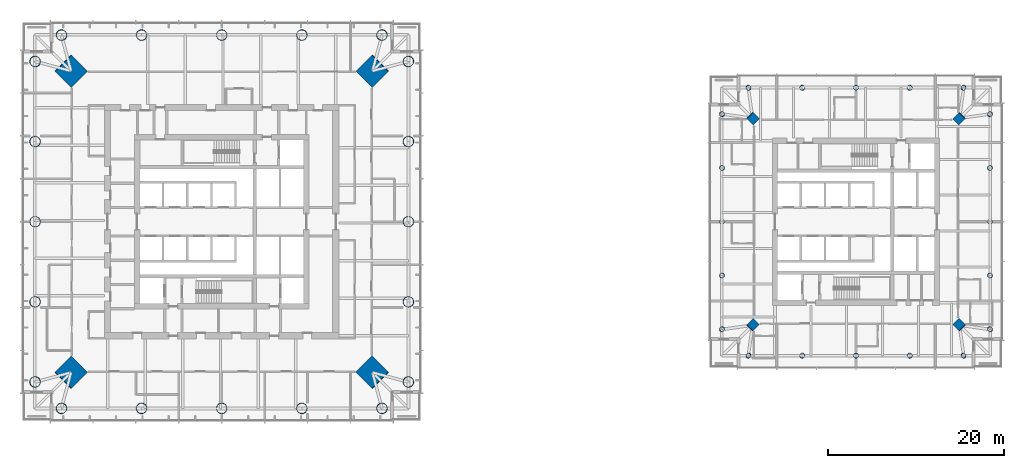
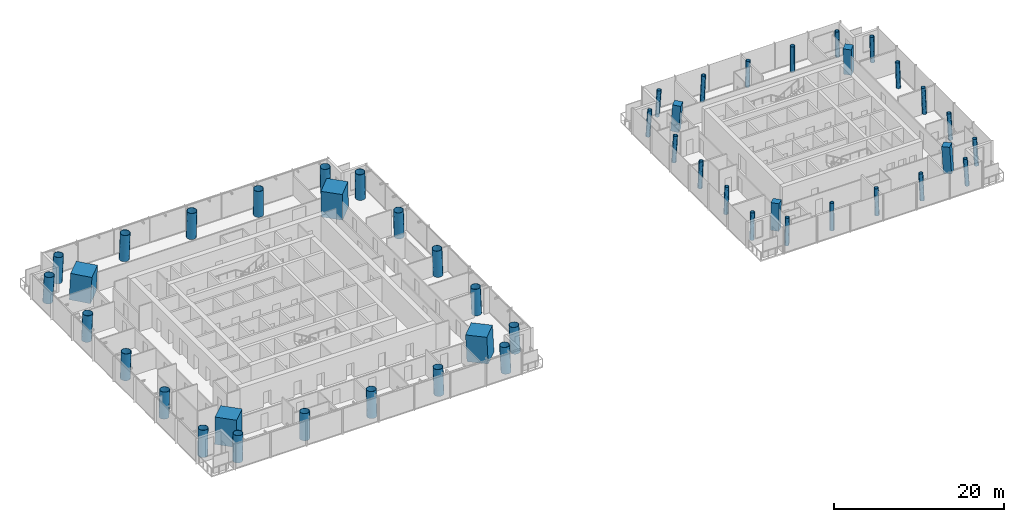
# One storey, part 1 of 20: 48 columns.
"""IFC4 building model written with IfcOpenShell, lengths in metres."""

from ifc_helpers import new_model, si_unit, direction, frame, origin, origin_2d, place, context, subcontext, project, spatial, rectangle, hollow_circle, extrude, material, material_profile, profile_set, type_object, element, save


model = new_model("IFC4")

# Units and contexts
model_context = context("Model", 3, precision=1e-05, world=origin(), true_north=direction((0.0, 1.0)))
body_context = subcontext(model_context, "Body", "Model", "MODEL_VIEW")
ifc_project = project(units=[si_unit("LENGTHUNIT", "METRE"), si_unit("AREAUNIT", "SQUARE_METRE"), si_unit("VOLUMEUNIT", "CUBIC_METRE"), si_unit("PLANEANGLEUNIT", "RADIAN"), si_unit("MASSUNIT", "GRAM", prefix="KILO")], contexts=[model_context])

# Site, building, storey
site_placement = place(None, origin())
site = spatial("IfcSite", under=ifc_project, at=site_placement, CompositionType="ELEMENT")
building_placement = place(site_placement, origin())
building = spatial("IfcBuilding", under=site, at=building_placement, Name="Ostroluk Exchange", CompositionType="ELEMENT")
storey_placement = place(building_placement, frame((0.0, 0.0, 108.39990234375)))
storey = spatial("IfcBuildingStorey", under=building, at=storey_placement, Name="L27", CompositionType="ELEMENT", Elevation=108.39990234375)

# Columns
ifc_material_1 = material(Name="Concrete C50/60", Category="concrete")
ifc_material_profile_1 = material_profile(ifc_material_1, rectangle(XDim=1.0, YDim=1.0, at=origin_2d()), Name="RC 1000x1000")
ifc_profile_set_1 = profile_set([ifc_material_profile_1], Name="Concrete C50/60")
column_type_1 = type_object("IfcColumnType", Name="Mega column RC 1000x1000", PredefinedType="COLUMN", material=ifc_profile_set_1)
for number, where, z_axis, x_axis, name in (
    (1, (128.732666015625, 57.732666015625, 0.0), (-0.043029647111, -0.043029647111, 0.998146732169), (0.707106781187, -0.707106781187, 0.0), "T2 mega column NE"),
    (2, (105.267333984375, 57.732666015625, 0.0), (0.043029647111, -0.043029647111, 0.998146732169), (0.707106781187, 0.707106781187, 0.0), "T2 mega column NW"),
    (3, (105.267333984375, 34.267333984375, 0.0), (0.043029647111, 0.043029647111, 0.998146732169), (-0.707106781187, 0.707106781187, 0.0), "T2 mega column SW"),
    (4, (128.732666015625, 34.267333984375, 0.0), (-0.043029647111, 0.043029647111, 0.998146732169), (-0.707106781187, -0.707106781187, 0.0), "T2 mega column SE"),
):
    element("IfcColumn", number, at=place(storey_placement, frame(where, z_axis=z_axis, x_axis=x_axis)), inside=storey, type_object=column_type_1, Name=name, PredefinedType="COLUMN", context=body_context, shape_type="SweptSolid", body=[
        extrude(rectangle(XDim=1.0, YDim=1.0, at=origin_2d()), origin(), (0.0, 0.0, 1.0), 3.80712890625),
    ])
ifc_material_2 = material(Name="Concrete C50/60", Category="concrete")
ifc_material_profile_2 = material_profile(ifc_material_2, rectangle(XDim=2.60009765625, YDim=2.60009765625, at=origin_2d()), Name="RC 2600x2600")
ifc_profile_set_2 = profile_set([ifc_material_profile_2], Name="Concrete C50/60")
column_type_2 = type_object("IfcColumnType", Name="Mega column RC 2600x2600", PredefinedType="COLUMN", material=ifc_profile_set_2)
for number, where, z_axis, x_axis, name in (
    (5, (62.107177734375, 63.107177734375, 0.0), (-0.031962158256, -0.031962158256, 0.998977898093), (0.707106781187, -0.707106781187, 0.0), "T1 mega column NE"),
    (6, (27.892822265625, 63.107177734375, 0.0), (0.031962158256, -0.031962158256, 0.998977898093), (0.707106781187, 0.707106781187, 0.0), "T1 mega column NW"),
    (7, (27.892822265625, 28.892822265625, 0.0), (0.031962158256, 0.031962158256, 0.998977898093), (-0.707106781187, 0.707106781187, 0.0), "T1 mega column SW"),
    (8, (62.107177734375, 28.892822265625, 0.0), (-0.031962158256, 0.031962158256, 0.998977898093), (-0.707106781187, -0.707106781187, 0.0), "T1 mega column SE"),
):
    element("IfcColumn", number, at=place(storey_placement, frame(where, z_axis=z_axis, x_axis=x_axis)), inside=storey, type_object=column_type_2, Name=name, PredefinedType="COLUMN", context=body_context, shape_type="SweptSolid", body=[
        extrude(rectangle(XDim=2.60009765625, YDim=2.60009765625, at=origin_2d()), origin(), (0.0, 0.0, 1.0), 3.803955078125),
    ])
ifc_material_3 = material(Name="Steel S460", Category="steel")
ifc_material_profile_3 = material_profile(ifc_material_3, hollow_circle(Radius=0.609619140625, WallThickness=0.0400390625, at=origin_2d()), Name="CHS 1219x40")
ifc_profile_set_3 = profile_set([ifc_material_profile_3], Name="Steel S460")
column_type_3 = type_object("IfcColumnType", Name="Perimeter column CHS 1219x40", PredefinedType="COLUMN", material=ifc_profile_set_3)
for number, where, z_axis, x_axis, name in (
    (9, (66.20703125, 27.79296875, 0.0), (-0.031898107953, 0.031898107953, 0.998981992539), (-0.707106781187, -0.707106781187, 0.0), "T1 east face column E0"),
    (10, (66.20703125, 64.20703125, 0.0), (-0.031898107953, -0.031898107953, 0.998981992539), (0.707106781187, -0.707106781187, 0.0), "T1 east face column E1"),
):
    element("IfcColumn", number, at=place(storey_placement, frame(where, z_axis=z_axis, x_axis=x_axis)), inside=storey, type_object=column_type_3, Name=name, PredefinedType="COLUMN", context=body_context, shape_type="SweptSolid", body=[
        extrude(hollow_circle(Radius=0.609619140625, WallThickness=0.0400390625, at=origin_2d()), origin(), (0.0, 0.0, 1.0), 3.803955078125),
    ])
column_1_placement = place(storey_placement, frame((66.20703125, 36.896484375, 0.0), z_axis=(-0.031910302246, 0.015923048203, 0.999363892257), x_axis=(-0.446493300058, -0.894786976326, 0.0)))
element("IfcColumn", 11, at=column_1_placement, inside=storey, type_object=column_type_3, Name="T1 east face column I1", PredefinedType="COLUMN", context=body_context, shape_type="SweptSolid", body=[
    extrude(hollow_circle(Radius=0.609619140625, WallThickness=0.0400390625, at=origin_2d()), origin(), (0.0, 0.0, 1.0), 3.802490234375),
])
column_2_placement = place(storey_placement, frame((66.20703125, 46.0, 0.0), z_axis=(-0.031914348339, 0.0, 0.999490607445), x_axis=(0.0, -1.0, 0.0)))
element("IfcColumn", 12, at=column_2_placement, inside=storey, type_object=column_type_3, Name="T1 east face column I2", PredefinedType="COLUMN", context=body_context, shape_type="SweptSolid", body=[
    extrude(hollow_circle(Radius=0.609619140625, WallThickness=0.0400390625, at=origin_2d()), origin(), (0.0, 0.0, 1.0), 3.802001953125),
])
column_3_placement = place(storey_placement, frame((66.20703125, 55.103515625, 0.0), z_axis=(-0.031910302246, -0.015923048203, 0.999363892257), x_axis=(0.446493300058, -0.894786976326, 0.0)))
element("IfcColumn", 13, at=column_3_placement, inside=storey, type_object=column_type_3, Name="T1 east face column I3", PredefinedType="COLUMN", context=body_context, shape_type="SweptSolid", body=[
    extrude(hollow_circle(Radius=0.609619140625, WallThickness=0.0400390625, at=origin_2d()), origin(), (0.0, 0.0, 1.0), 3.802490234375),
])
for number, where, z_axis, x_axis, name in (
    (14, (63.20703125, 67.20703125, 0.0), (-0.031898107953, -0.031898107953, 0.998981992539), (0.707106781187, -0.707106781187, 0.0), "T1 north face column E0"),
    (15, (26.79296875, 67.20703125, 0.0), (0.031898107953, -0.031898107953, 0.998981992539), (0.707106781187, 0.707106781187, 0.0), "T1 north face column E1"),
):
    element("IfcColumn", number, at=place(storey_placement, frame(where, z_axis=z_axis, x_axis=x_axis)), inside=storey, type_object=column_type_3, Name=name, PredefinedType="COLUMN", context=body_context, shape_type="SweptSolid", body=[
        extrude(hollow_circle(Radius=0.609619140625, WallThickness=0.0400390625, at=origin_2d()), origin(), (0.0, 0.0, 1.0), 3.803955078125),
    ])
column_4_placement = place(storey_placement, frame((54.103515625, 67.20703125, 0.0), z_axis=(-0.015923048203, -0.031910302246, 0.999363892257), x_axis=(0.894786976326, -0.446493300058, 0.0)))
element("IfcColumn", 16, at=column_4_placement, inside=storey, type_object=column_type_3, Name="T1 north face column I1", PredefinedType="COLUMN", context=body_context, shape_type="SweptSolid", body=[
    extrude(hollow_circle(Radius=0.609619140625, WallThickness=0.0400390625, at=origin_2d()), origin(), (0.0, 0.0, 1.0), 3.802490234375),
])
column_5_placement = place(storey_placement, frame((45.0, 67.20703125, 0.0), z_axis=(0.0, -0.031914348339, 0.999490607445), x_axis=(1.0, 0.0, 0.0)))
element("IfcColumn", 17, at=column_5_placement, inside=storey, type_object=column_type_3, Name="T1 north face column I2", PredefinedType="COLUMN", context=body_context, shape_type="SweptSolid", body=[
    extrude(hollow_circle(Radius=0.609619140625, WallThickness=0.0400390625, at=origin_2d()), origin(), (0.0, 0.0, 1.0), 3.802001953125),
])
column_6_placement = place(storey_placement, frame((35.896484375, 67.20703125, 0.0), z_axis=(0.015923048203, -0.031910302246, 0.999363892257), x_axis=(0.894786976326, 0.446493300058, 0.0)))
element("IfcColumn", 18, at=column_6_placement, inside=storey, type_object=column_type_3, Name="T1 north face column I3", PredefinedType="COLUMN", context=body_context, shape_type="SweptSolid", body=[
    extrude(hollow_circle(Radius=0.609619140625, WallThickness=0.0400390625, at=origin_2d()), origin(), (0.0, 0.0, 1.0), 3.802490234375),
])
for number, where, z_axis, x_axis, name in (
    (19, (23.79296875, 64.20703125, 0.0), (0.031898107953, -0.031898107953, 0.998981992539), (0.707106781187, 0.707106781187, 0.0), "T1 west face column E0"),
    (20, (23.79296875, 27.79296875, 0.0), (0.031898107953, 0.031898107953, 0.998981992539), (-0.707106781187, 0.707106781187, 0.0), "T1 west face column E1"),
):
    element("IfcColumn", number, at=place(storey_placement, frame(where, z_axis=z_axis, x_axis=x_axis)), inside=storey, type_object=column_type_3, Name=name, PredefinedType="COLUMN", context=body_context, shape_type="SweptSolid", body=[
        extrude(hollow_circle(Radius=0.609619140625, WallThickness=0.0400390625, at=origin_2d()), origin(), (0.0, 0.0, 1.0), 3.803955078125),
    ])
column_7_placement = place(storey_placement, frame((23.79296875, 55.103515625, 0.0), z_axis=(0.031910302246, -0.015923048203, 0.999363892257), x_axis=(0.446493300058, 0.894786976326, 0.0)))
element("IfcColumn", 21, at=column_7_placement, inside=storey, type_object=column_type_3, Name="T1 west face column I1", PredefinedType="COLUMN", context=body_context, shape_type="SweptSolid", body=[
    extrude(hollow_circle(Radius=0.609619140625, WallThickness=0.0400390625, at=origin_2d()), origin(), (0.0, 0.0, 1.0), 3.802490234375),
])
column_8_placement = place(storey_placement, frame((23.79296875, 46.0, 0.0), z_axis=(0.031914348339, 0.0, 0.999490607445), x_axis=(0.0, 1.0, 0.0)))
element("IfcColumn", 22, at=column_8_placement, inside=storey, type_object=column_type_3, Name="T1 west face column I2", PredefinedType="COLUMN", context=body_context, shape_type="SweptSolid", body=[
    extrude(hollow_circle(Radius=0.609619140625, WallThickness=0.0400390625, at=origin_2d()), origin(), (0.0, 0.0, 1.0), 3.802001953125),
])
column_9_placement = place(storey_placement, frame((23.79296875, 36.896484375, 0.0), z_axis=(0.031910302246, 0.015923048203, 0.999363892257), x_axis=(-0.446493300058, 0.894786976326, 0.0)))
element("IfcColumn", 23, at=column_9_placement, inside=storey, type_object=column_type_3, Name="T1 west face column I3", PredefinedType="COLUMN", context=body_context, shape_type="SweptSolid", body=[
    extrude(hollow_circle(Radius=0.609619140625, WallThickness=0.0400390625, at=origin_2d()), origin(), (0.0, 0.0, 1.0), 3.802490234375),
])
for number, where, z_axis, x_axis, name in (
    (24, (26.79296875, 24.79296875, 0.0), (0.031898107953, 0.031898107953, 0.998981992539), (-0.707106781187, 0.707106781187, 0.0), "T1 south face column E0"),
    (25, (63.20703125, 24.79296875, 0.0), (-0.031898107953, 0.031898107953, 0.998981992539), (-0.707106781187, -0.707106781187, 0.0), "T1 south face column E1"),
):
    element("IfcColumn", number, at=place(storey_placement, frame(where, z_axis=z_axis, x_axis=x_axis)), inside=storey, type_object=column_type_3, Name=name, PredefinedType="COLUMN", context=body_context, shape_type="SweptSolid", body=[
        extrude(hollow_circle(Radius=0.609619140625, WallThickness=0.0400390625, at=origin_2d()), origin(), (0.0, 0.0, 1.0), 3.803955078125),
    ])
column_10_placement = place(storey_placement, frame((35.896484375, 24.79296875, 0.0), z_axis=(0.015923048203, 0.031910302246, 0.999363892257), x_axis=(-0.894786976326, 0.446493300058, 0.0)))
element("IfcColumn", 26, at=column_10_placement, inside=storey, type_object=column_type_3, Name="T1 south face column I1", PredefinedType="COLUMN", context=body_context, shape_type="SweptSolid", body=[
    extrude(hollow_circle(Radius=0.609619140625, WallThickness=0.0400390625, at=origin_2d()), origin(), (0.0, 0.0, 1.0), 3.802490234375),
])
column_11_placement = place(storey_placement, frame((45.0, 24.79296875, 0.0), z_axis=(0.0, 0.031914348339, 0.999490607445), x_axis=(-1.0, 0.0, 0.0)))
element("IfcColumn", 27, at=column_11_placement, inside=storey, type_object=column_type_3, Name="T1 south face column I2", PredefinedType="COLUMN", context=body_context, shape_type="SweptSolid", body=[
    extrude(hollow_circle(Radius=0.609619140625, WallThickness=0.0400390625, at=origin_2d()), origin(), (0.0, 0.0, 1.0), 3.802001953125),
])
column_12_placement = place(storey_placement, frame((54.103515625, 24.79296875, 0.0), z_axis=(-0.015923048203, 0.031910302246, 0.999363892257), x_axis=(-0.894786976326, -0.446493300058, 0.0)))
element("IfcColumn", 28, at=column_12_placement, inside=storey, type_object=column_type_3, Name="T1 south face column I3", PredefinedType="COLUMN", context=body_context, shape_type="SweptSolid", body=[
    extrude(hollow_circle(Radius=0.609619140625, WallThickness=0.0400390625, at=origin_2d()), origin(), (0.0, 0.0, 1.0), 3.802490234375),
])
ifc_material_4 = material(Name="Steel S460", Category="steel")
ifc_material_profile_4 = material_profile(ifc_material_4, hollow_circle(Radius=0.279541015625, WallThickness=0.02001953125, at=origin_2d()), Name="CHS 559x20")
ifc_profile_set_4 = profile_set([ifc_material_profile_4], Name="Steel S460")
column_type_4 = type_object("IfcColumnType", Name="Perimeter column CHS 559x20", PredefinedType="COLUMN", material=ifc_profile_set_4)
for number, where, z_axis, x_axis, name in (
    (29, (132.232666015625, 33.767333984375, 0.0), (-0.043029647111, 0.043029647111, 0.998146732169), (-0.707106781187, -0.707106781187, 0.0), "T2 east face column E0"),
    (30, (132.232666015625, 58.232666015625, 0.0), (-0.043029647111, -0.043029647111, 0.998146732169), (0.707106781187, -0.707106781187, 0.0), "T2 east face column E1"),
):
    element("IfcColumn", number, at=place(storey_placement, frame(where, z_axis=z_axis, x_axis=x_axis)), inside=storey, type_object=column_type_4, Name=name, PredefinedType="COLUMN", context=body_context, shape_type="SweptSolid", body=[
        extrude(hollow_circle(Radius=0.279541015625, WallThickness=0.02001953125, at=origin_2d()), origin(), (0.0, 0.0, 1.0), 3.80712890625),
    ])
column_13_placement = place(storey_placement, frame((132.232666015625, 39.883544921875, 0.0), z_axis=(-0.043059525333, 0.021561848751, 0.998839808957), x_axis=(-0.44774654769, -0.894160516368, 0.0)))
element("IfcColumn", 31, at=column_13_placement, inside=storey, type_object=column_type_4, Name="T2 east face column I1", PredefinedType="COLUMN", context=body_context, shape_type="SweptSolid", body=[
    extrude(hollow_circle(Radius=0.279541015625, WallThickness=0.02001953125, at=origin_2d()), origin(), (0.0, 0.0, 1.0), 3.804443359375),
])
column_14_placement = place(storey_placement, frame((132.232666015625, 46.0, 0.0), z_axis=(-0.043069538298, 0.0, 0.999072076915), x_axis=(0.0, -1.0, 0.0)))
element("IfcColumn", 32, at=column_14_placement, inside=storey, type_object=column_type_4, Name="T2 east face column I2", PredefinedType="COLUMN", context=body_context, shape_type="SweptSolid", body=[
    extrude(hollow_circle(Radius=0.279541015625, WallThickness=0.02001953125, at=origin_2d()), origin(), (0.0, 0.0, 1.0), 3.803466796875),
])
column_15_placement = place(storey_placement, frame((132.232666015625, 52.116455078125, 0.0), z_axis=(-0.043059525333, -0.021561848751, 0.998839808957), x_axis=(0.44774654769, -0.894160516368, 0.0)))
element("IfcColumn", 33, at=column_15_placement, inside=storey, type_object=column_type_4, Name="T2 east face column I3", PredefinedType="COLUMN", context=body_context, shape_type="SweptSolid", body=[
    extrude(hollow_circle(Radius=0.279541015625, WallThickness=0.02001953125, at=origin_2d()), origin(), (0.0, 0.0, 1.0), 3.804443359375),
])
for number, where, z_axis, x_axis, name in (
    (34, (129.232666015625, 61.232666015625, 0.0), (-0.043029647111, -0.043029647111, 0.998146732169), (0.707106781187, -0.707106781187, 0.0), "T2 north face column E0"),
    (35, (104.767333984375, 61.232666015625, 0.0), (0.043029647111, -0.043029647111, 0.998146732169), (0.707106781187, 0.707106781187, 0.0), "T2 north face column E1"),
):
    element("IfcColumn", number, at=place(storey_placement, frame(where, z_axis=z_axis, x_axis=x_axis)), inside=storey, type_object=column_type_4, Name=name, PredefinedType="COLUMN", context=body_context, shape_type="SweptSolid", body=[
        extrude(hollow_circle(Radius=0.279541015625, WallThickness=0.02001953125, at=origin_2d()), origin(), (0.0, 0.0, 1.0), 3.80712890625),
    ])
column_16_placement = place(storey_placement, frame((123.116455078125, 61.232666015625, 0.0), z_axis=(-0.021561848751, -0.043059525333, 0.998839808957), x_axis=(0.894160516368, -0.44774654769, 0.0)))
element("IfcColumn", 36, at=column_16_placement, inside=storey, type_object=column_type_4, Name="T2 north face column I1", PredefinedType="COLUMN", context=body_context, shape_type="SweptSolid", body=[
    extrude(hollow_circle(Radius=0.279541015625, WallThickness=0.02001953125, at=origin_2d()), origin(), (0.0, 0.0, 1.0), 3.804443359375),
])
column_17_placement = place(storey_placement, frame((117.0, 61.232666015625, 0.0), z_axis=(0.0, -0.043069538298, 0.999072076915), x_axis=(1.0, 0.0, 0.0)))
element("IfcColumn", 37, at=column_17_placement, inside=storey, type_object=column_type_4, Name="T2 north face column I2", PredefinedType="COLUMN", context=body_context, shape_type="SweptSolid", body=[
    extrude(hollow_circle(Radius=0.279541015625, WallThickness=0.02001953125, at=origin_2d()), origin(), (0.0, 0.0, 1.0), 3.803466796875),
])
column_18_placement = place(storey_placement, frame((110.883544921875, 61.232666015625, 0.0), z_axis=(0.021561848751, -0.043059525333, 0.998839808957), x_axis=(0.894160516368, 0.44774654769, 0.0)))
element("IfcColumn", 38, at=column_18_placement, inside=storey, type_object=column_type_4, Name="T2 north face column I3", PredefinedType="COLUMN", context=body_context, shape_type="SweptSolid", body=[
    extrude(hollow_circle(Radius=0.279541015625, WallThickness=0.02001953125, at=origin_2d()), origin(), (0.0, 0.0, 1.0), 3.804443359375),
])
for number, where, z_axis, x_axis, name in (
    (39, (101.767333984375, 58.232666015625, 0.0), (0.043029647111, -0.043029647111, 0.998146732169), (0.707106781187, 0.707106781187, 0.0), "T2 west face column E0"),
    (40, (101.767333984375, 33.767333984375, 0.0), (0.043029647111, 0.043029647111, 0.998146732169), (-0.707106781187, 0.707106781187, 0.0), "T2 west face column E1"),
):
    element("IfcColumn", number, at=place(storey_placement, frame(where, z_axis=z_axis, x_axis=x_axis)), inside=storey, type_object=column_type_4, Name=name, PredefinedType="COLUMN", context=body_context, shape_type="SweptSolid", body=[
        extrude(hollow_circle(Radius=0.279541015625, WallThickness=0.02001953125, at=origin_2d()), origin(), (0.0, 0.0, 1.0), 3.80712890625),
    ])
column_19_placement = place(storey_placement, frame((101.767333984375, 52.116455078125, 0.0), z_axis=(0.043059525333, -0.021561848751, 0.998839808957), x_axis=(0.44774654769, 0.894160516368, 0.0)))
element("IfcColumn", 41, at=column_19_placement, inside=storey, type_object=column_type_4, Name="T2 west face column I1", PredefinedType="COLUMN", context=body_context, shape_type="SweptSolid", body=[
    extrude(hollow_circle(Radius=0.279541015625, WallThickness=0.02001953125, at=origin_2d()), origin(), (0.0, 0.0, 1.0), 3.804443359375),
])
column_20_placement = place(storey_placement, frame((101.767333984375, 46.0, 0.0), z_axis=(0.043069538298, 0.0, 0.999072076915), x_axis=(0.0, 1.0, 0.0)))
element("IfcColumn", 42, at=column_20_placement, inside=storey, type_object=column_type_4, Name="T2 west face column I2", PredefinedType="COLUMN", context=body_context, shape_type="SweptSolid", body=[
    extrude(hollow_circle(Radius=0.279541015625, WallThickness=0.02001953125, at=origin_2d()), origin(), (0.0, 0.0, 1.0), 3.803466796875),
])
column_21_placement = place(storey_placement, frame((101.767333984375, 39.883544921875, 0.0), z_axis=(0.043059525333, 0.021561848751, 0.998839808957), x_axis=(-0.44774654769, 0.894160516368, 0.0)))
element("IfcColumn", 43, at=column_21_placement, inside=storey, type_object=column_type_4, Name="T2 west face column I3", PredefinedType="COLUMN", context=body_context, shape_type="SweptSolid", body=[
    extrude(hollow_circle(Radius=0.279541015625, WallThickness=0.02001953125, at=origin_2d()), origin(), (0.0, 0.0, 1.0), 3.804443359375),
])
for number, where, z_axis, x_axis, name in (
    (44, (104.767333984375, 30.767333984375, 0.0), (0.043029647111, 0.043029647111, 0.998146732169), (-0.707106781187, 0.707106781187, 0.0), "T2 south face column E0"),
    (45, (129.232666015625, 30.767333984375, 0.0), (-0.043029647111, 0.043029647111, 0.998146732169), (-0.707106781187, -0.707106781187, 0.0), "T2 south face column E1"),
):
    element("IfcColumn", number, at=place(storey_placement, frame(where, z_axis=z_axis, x_axis=x_axis)), inside=storey, type_object=column_type_4, Name=name, PredefinedType="COLUMN", context=body_context, shape_type="SweptSolid", body=[
        extrude(hollow_circle(Radius=0.279541015625, WallThickness=0.02001953125, at=origin_2d()), origin(), (0.0, 0.0, 1.0), 3.80712890625),
    ])
column_22_placement = place(storey_placement, frame((110.883544921875, 30.767333984375, 0.0), z_axis=(0.021561848751, 0.043059525333, 0.998839808957), x_axis=(-0.894160516368, 0.44774654769, 0.0)))
element("IfcColumn", 46, at=column_22_placement, inside=storey, type_object=column_type_4, Name="T2 south face column I1", PredefinedType="COLUMN", context=body_context, shape_type="SweptSolid", body=[
    extrude(hollow_circle(Radius=0.279541015625, WallThickness=0.02001953125, at=origin_2d()), origin(), (0.0, 0.0, 1.0), 3.804443359375),
])
column_23_placement = place(storey_placement, frame((117.0, 30.767333984375, 0.0), z_axis=(0.0, 0.043069538298, 0.999072076915), x_axis=(-1.0, 0.0, 0.0)))
element("IfcColumn", 47, at=column_23_placement, inside=storey, type_object=column_type_4, Name="T2 south face column I2", PredefinedType="COLUMN", context=body_context, shape_type="SweptSolid", body=[
    extrude(hollow_circle(Radius=0.279541015625, WallThickness=0.02001953125, at=origin_2d()), origin(), (0.0, 0.0, 1.0), 3.803466796875),
])
column_24_placement = place(storey_placement, frame((123.116455078125, 30.767333984375, 0.0), z_axis=(-0.021561848751, 0.043059525333, 0.998839808957), x_axis=(-0.894160516368, -0.44774654769, 0.0)))
element("IfcColumn", 48, at=column_24_placement, inside=storey, type_object=column_type_4, Name="T2 south face column I3", PredefinedType="COLUMN", context=body_context, shape_type="SweptSolid", body=[
    extrude(hollow_circle(Radius=0.279541015625, WallThickness=0.02001953125, at=origin_2d()), origin(), (0.0, 0.0, 1.0), 3.804443359375),
])

save(model, "model.ifc")
